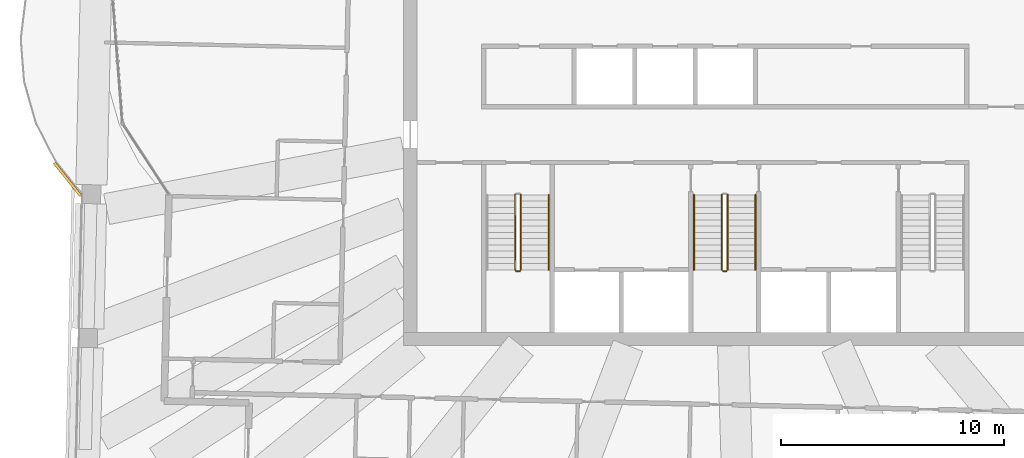
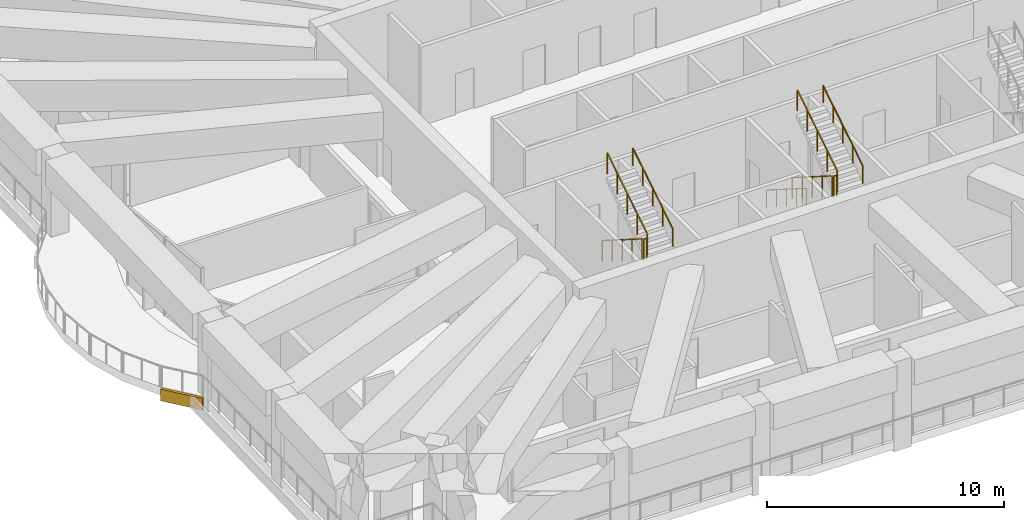
# One storey, part 13 of 17: 9 railings, 1 covering.
"""IFC4 building model written with IfcOpenShell, lengths in metres."""

from ifc_helpers import new_model, si_unit, direction, frame, frame_2d, origin, origin_2d, place, context, subcontext, project, spatial, rectangle, circle, extrude, material, layer, layer_set, type_object, element, save


model = new_model("IFC4")

# Units and contexts
model_context = context("Model", 3, precision=1e-05, world=origin(), true_north=direction((0.0, 1.0)))
body_context = subcontext(model_context, "Body", "Model", "MODEL_VIEW")
ifc_project = project(units=[si_unit("LENGTHUNIT", "METRE"), si_unit("AREAUNIT", "SQUARE_METRE"), si_unit("VOLUMEUNIT", "CUBIC_METRE"), si_unit("PLANEANGLEUNIT", "RADIAN"), si_unit("MASSUNIT", "GRAM", prefix="KILO")], contexts=[model_context])

# Site, building, storey
site_placement = place(None, origin())
site = spatial("IfcSite", under=ifc_project, at=site_placement, CompositionType="ELEMENT")
building_placement = place(site_placement, origin())
building = spatial("IfcBuilding", under=site, at=building_placement, Name="Mangrove Gate Tower", CompositionType="ELEMENT")
storey_placement = place(building_placement, frame((0.0, 0.0, 337.89990234375)))
storey = spatial("IfcBuildingStorey", under=building, at=storey_placement, Name="L86", CompositionType="ELEMENT", Elevation=337.89990234375)

# Railings
ifc_material_1 = material(Name="Stainless steel 316", Category="steel")
railing_type_1 = type_object("IfcRailingType", Name="Core stair guard 1100", PredefinedType="GUARDRAIL", material=ifc_material_1)
railing_1_placement = place(storey_placement, frame((-9.39990234375, -4.64990234375, 0.177001953125)))
element("IfcRailing", 1, at=railing_1_placement, inside=storey, type_object=railing_type_1, Name="L86 ST1 stair guard 1", PredefinedType="GUARDRAIL", context=body_context, shape_type="SweptSolid", body=[
    extrude(rectangle(XDim=0.048095703125, YDim=0.048095703125, at=origin_2d()), frame((0.0, 0.0, 1.076171875), z_axis=(0.0, -0.845389635667, 0.534150132366), x_axis=(1.0, 0.0, 0.0)), (0.0, 0.0, 1.0), 3.974609375),
    extrude(rectangle(XDim=0.0419921875, YDim=0.0419921875, at=origin_2d()), origin(), (0.0, 0.0, 1.0), 1.052001953125),
    extrude(rectangle(XDim=0.0419921875, YDim=0.0419921875, at=origin_2d()), frame((0.0, -0.840087890625, 0.53076171875)), (0.0, 0.0, 1.0), 1.052001953125),
    extrude(rectangle(XDim=0.0419921875, YDim=0.0419921875, at=origin_2d()), frame((0.0, -1.68017578125, 1.0615234375)), (0.0, 0.0, 1.0), 1.052001953125),
    extrude(rectangle(XDim=0.0419921875, YDim=0.0419921875, at=origin_2d()), frame((0.0, -2.52001953125, 1.59228515625)), (0.0, 0.0, 1.0), 1.052001953125),
    extrude(rectangle(XDim=0.0419921875, YDim=0.0419921875, at=origin_2d()), frame((0.0, -3.360107421875, 2.123046875)), (0.0, 0.0, 1.0), 1.052001953125),
])
railing_2_placement = place(storey_placement, frame((-9.35009765625, -8.06005859375, 2.300048828125)))
element("IfcRailing", 2, at=railing_2_placement, inside=storey, type_object=railing_type_1, Name="L86 ST1 stair guard 2", PredefinedType="GUARDRAIL", context=body_context, shape_type="SweptSolid", body=[
    extrude(rectangle(XDim=0.048095703125, YDim=0.048095703125, at=origin_2d()), frame((0.0, 0.0, 1.076171875), z_axis=(1.0, 0.0, 0.0), x_axis=(0.0, 1.0, 0.0)), (0.0, 0.0, 1.0), 0.150146484375),
    extrude(rectangle(XDim=0.0419921875, YDim=0.0419921875, at=origin_2d()), origin(), (0.0, 0.0, 1.0), 1.052001953125),
    extrude(rectangle(XDim=0.0419921875, YDim=0.0419921875, at=origin_2d()), frame((0.150146484375, 0.0, 0.0)), (0.0, 0.0, 1.0), 1.052001953125),
])
railing_3_placement = place(storey_placement, frame((-9.14990234375, -8.010009765625, 2.47705078125)))
element("IfcRailing", 3, at=railing_3_placement, inside=storey, type_object=railing_type_1, Name="L86 ST1 stair guard 3", PredefinedType="GUARDRAIL", context=body_context, shape_type="SweptSolid", body=[
    extrude(rectangle(XDim=0.048095703125, YDim=0.048095703125, at=origin_2d()), frame((0.0, 0.0, 1.076171875), z_axis=(0.0, 0.845389635667, 0.534150132366), x_axis=(-1.0, 0.0, 0.0)), (0.0, 0.0, 1.0), 3.974609375),
    extrude(rectangle(XDim=0.0419921875, YDim=0.0419921875, at=origin_2d()), origin(), (0.0, 0.0, 1.0), 1.052001953125),
    extrude(rectangle(XDim=0.0419921875, YDim=0.0419921875, at=origin_2d()), frame((0.0, 0.840087890625, 0.53076171875)), (0.0, 0.0, 1.0), 1.052001953125),
    extrude(rectangle(XDim=0.0419921875, YDim=0.0419921875, at=origin_2d()), frame((0.0, 1.68017578125, 1.0615234375)), (0.0, 0.0, 1.0), 1.052001953125),
    extrude(rectangle(XDim=0.0419921875, YDim=0.0419921875, at=origin_2d()), frame((0.0, 2.52001953125, 1.59228515625)), (0.0, 0.0, 1.0), 1.052001953125),
    extrude(rectangle(XDim=0.0419921875, YDim=0.0419921875, at=origin_2d()), frame((0.0, 3.360107421875, 2.123046875)), (0.0, 0.0, 1.0), 1.052001953125),
])
railing_4_placement = place(storey_placement, frame((-0.14990234375, -4.64990234375, 0.177001953125)))
element("IfcRailing", 4, at=railing_4_placement, inside=storey, type_object=railing_type_1, Name="L86 ST2 stair guard 1", PredefinedType="GUARDRAIL", context=body_context, shape_type="SweptSolid", body=[
    extrude(rectangle(XDim=0.048095703125, YDim=0.048095703125, at=origin_2d()), frame((0.0, 0.0, 1.076171875), z_axis=(0.0, -0.845389635667, 0.534150132366), x_axis=(1.0, 0.0, 0.0)), (0.0, 0.0, 1.0), 3.974609375),
    extrude(rectangle(XDim=0.0419921875, YDim=0.0419921875, at=origin_2d()), origin(), (0.0, 0.0, 1.0), 1.052001953125),
    extrude(rectangle(XDim=0.0419921875, YDim=0.0419921875, at=origin_2d()), frame((0.0, -0.840087890625, 0.53076171875)), (0.0, 0.0, 1.0), 1.052001953125),
    extrude(rectangle(XDim=0.0419921875, YDim=0.0419921875, at=origin_2d()), frame((0.0, -1.68017578125, 1.0615234375)), (0.0, 0.0, 1.0), 1.052001953125),
    extrude(rectangle(XDim=0.0419921875, YDim=0.0419921875, at=origin_2d()), frame((0.0, -2.52001953125, 1.59228515625)), (0.0, 0.0, 1.0), 1.052001953125),
    extrude(rectangle(XDim=0.0419921875, YDim=0.0419921875, at=origin_2d()), frame((0.0, -3.360107421875, 2.123046875)), (0.0, 0.0, 1.0), 1.052001953125),
])
railing_5_placement = place(storey_placement, frame((-0.10009765625, -8.06005859375, 2.300048828125)))
element("IfcRailing", 5, at=railing_5_placement, inside=storey, type_object=railing_type_1, Name="L86 ST2 stair guard 2", PredefinedType="GUARDRAIL", context=body_context, shape_type="SweptSolid", body=[
    extrude(rectangle(XDim=0.048095703125, YDim=0.048095703125, at=origin_2d()), frame((0.0, 0.0, 1.076171875), z_axis=(1.0, 0.0, 0.0), x_axis=(0.0, 1.0, 0.0)), (0.0, 0.0, 1.0), 0.150146484375),
    extrude(rectangle(XDim=0.0419921875, YDim=0.0419921875, at=origin_2d()), origin(), (0.0, 0.0, 1.0), 1.052001953125),
    extrude(rectangle(XDim=0.0419921875, YDim=0.0419921875, at=origin_2d()), frame((0.150146484375, 0.0, 0.0)), (0.0, 0.0, 1.0), 1.052001953125),
])
railing_6_placement = place(storey_placement, frame((0.10009765625, -8.010009765625, 2.47705078125)))
element("IfcRailing", 6, at=railing_6_placement, inside=storey, type_object=railing_type_1, Name="L86 ST2 stair guard 3", PredefinedType="GUARDRAIL", context=body_context, shape_type="SweptSolid", body=[
    extrude(rectangle(XDim=0.048095703125, YDim=0.048095703125, at=origin_2d()), frame((0.0, 0.0, 1.076171875), z_axis=(0.0, 0.845389635667, 0.534150132366), x_axis=(-1.0, 0.0, 0.0)), (0.0, 0.0, 1.0), 3.974609375),
    extrude(rectangle(XDim=0.0419921875, YDim=0.0419921875, at=origin_2d()), origin(), (0.0, 0.0, 1.0), 1.052001953125),
    extrude(rectangle(XDim=0.0419921875, YDim=0.0419921875, at=origin_2d()), frame((0.0, 0.840087890625, 0.53076171875)), (0.0, 0.0, 1.0), 1.052001953125),
    extrude(rectangle(XDim=0.0419921875, YDim=0.0419921875, at=origin_2d()), frame((0.0, 1.68017578125, 1.0615234375)), (0.0, 0.0, 1.0), 1.052001953125),
    extrude(rectangle(XDim=0.0419921875, YDim=0.0419921875, at=origin_2d()), frame((0.0, 2.52001953125, 1.59228515625)), (0.0, 0.0, 1.0), 1.052001953125),
    extrude(rectangle(XDim=0.0419921875, YDim=0.0419921875, at=origin_2d()), frame((0.0, 3.360107421875, 2.123046875)), (0.0, 0.0, 1.0), 1.052001953125),
])
ifc_material_2 = material(Name="Stainless steel 316", Category="steel")
railing_type_2 = type_object("IfcRailingType", Name="Core stair handrail 900", PredefinedType="HANDRAIL", material=ifc_material_2)
railing_7_placement = place(storey_placement, frame((-7.89990234375, -8.010009765625, 2.47705078125)))
element("IfcRailing", 7, at=railing_7_placement, inside=storey, type_object=railing_type_2, Name="L86 ST1 stair handrail 2", PredefinedType="HANDRAIL", context=body_context, shape_type="SweptSolid", body=[
    extrude(circle(Radius=0.02392578125, at=origin_2d()), frame((0.0, 0.0, 0.8759765625), z_axis=(0.0, 0.845389635667, 0.534150132366), x_axis=(-1.0, 0.0, 0.0)), (0.0, 0.0, 1.0), 3.974609375),
    extrude(circle(Radius=0.02099609375, at=origin_2d()), origin(), (0.0, 0.0, 1.0), 0.851806640625),
    extrude(circle(Radius=0.02099609375, at=origin_2d()), frame((0.0, 0.840087890625, 0.53076171875)), (0.0, 0.0, 1.0), 0.851806640625),
    extrude(circle(Radius=0.02099609375, at=origin_2d()), frame((0.0, 1.68017578125, 1.0615234375)), (0.0, 0.0, 1.0), 0.851806640625),
    extrude(circle(Radius=0.02099609375, at=origin_2d()), frame((0.0, 2.52001953125, 1.59228515625)), (0.0, 0.0, 1.0), 0.851806640625),
    extrude(circle(Radius=0.02099609375, at=origin_2d()), frame((0.0, 3.360107421875, 2.123046875)), (0.0, 0.0, 1.0), 0.851806640625),
])
railing_8_placement = place(storey_placement, frame((-1.39990234375, -4.64990234375, 0.177001953125)))
element("IfcRailing", 8, at=railing_8_placement, inside=storey, type_object=railing_type_2, Name="L86 ST2 stair handrail 1", PredefinedType="HANDRAIL", context=body_context, shape_type="SweptSolid", body=[
    extrude(circle(Radius=0.02392578125, at=origin_2d()), frame((0.0, 0.0, 0.8759765625), z_axis=(0.0, -0.845389635667, 0.534150132366), x_axis=(1.0, 0.0, 0.0)), (0.0, 0.0, 1.0), 3.974609375),
    extrude(circle(Radius=0.02099609375, at=origin_2d()), origin(), (0.0, 0.0, 1.0), 0.851806640625),
    extrude(circle(Radius=0.02099609375, at=origin_2d()), frame((0.0, -0.840087890625, 0.53076171875)), (0.0, 0.0, 1.0), 0.851806640625),
    extrude(circle(Radius=0.02099609375, at=origin_2d()), frame((0.0, -1.68017578125, 1.0615234375)), (0.0, 0.0, 1.0), 0.851806640625),
    extrude(circle(Radius=0.02099609375, at=origin_2d()), frame((0.0, -2.52001953125, 1.59228515625)), (0.0, 0.0, 1.0), 0.851806640625),
    extrude(circle(Radius=0.02099609375, at=origin_2d()), frame((0.0, -3.360107421875, 2.123046875)), (0.0, 0.0, 1.0), 0.851806640625),
])
railing_9_placement = place(storey_placement, frame((1.35009765625, -8.010009765625, 2.47705078125)))
element("IfcRailing", 9, at=railing_9_placement, inside=storey, type_object=railing_type_2, Name="L86 ST2 stair handrail 2", PredefinedType="HANDRAIL", context=body_context, shape_type="SweptSolid", body=[
    extrude(circle(Radius=0.02392578125, at=origin_2d()), frame((0.0, 0.0, 0.8759765625), z_axis=(0.0, 0.845389635667, 0.534150132366), x_axis=(-1.0, 0.0, 0.0)), (0.0, 0.0, 1.0), 3.974609375),
    extrude(circle(Radius=0.02099609375, at=origin_2d()), origin(), (0.0, 0.0, 1.0), 0.851806640625),
    extrude(circle(Radius=0.02099609375, at=origin_2d()), frame((0.0, 0.840087890625, 0.53076171875)), (0.0, 0.0, 1.0), 0.851806640625),
    extrude(circle(Radius=0.02099609375, at=origin_2d()), frame((0.0, 1.68017578125, 1.0615234375)), (0.0, 0.0, 1.0), 0.851806640625),
    extrude(circle(Radius=0.02099609375, at=origin_2d()), frame((0.0, 2.52001953125, 1.59228515625)), (0.0, 0.0, 1.0), 0.851806640625),
    extrude(circle(Radius=0.02099609375, at=origin_2d()), frame((0.0, 3.360107421875, 2.123046875)), (0.0, 0.0, 1.0), 0.851806640625),
])

# Covering
ifc_material_3 = material(Name="Limestone", Category="masonry")
ifc_layer_1 = layer(ifc_material_3, 0.0400390625, Name="Limestone cladding")
ifc_material_4 = material(Name="Stainless steel anchors and cavity", Category="steel")
ifc_layer_2 = layer(ifc_material_4, 0.080078125, Name="Fixing cavity")
ifc_layer_set = layer_set([ifc_layer_1, ifc_layer_2], Name="Joint fascia cladding 120")
covering_type = type_object("IfcCoveringType", Name="Joint fascia cladding 120", PredefinedType="CLADDING", material=ifc_layer_set)
covering_placement = place(storey_placement, frame((-28.845947265625, -4.695068359375, -0.599853515625), z_axis=(0.0, 0.0, 1.0), x_axis=(-0.62541579031, 0.780291669333, 0.0)))
element("IfcCovering", 10, at=covering_placement, inside=storey, type_object=covering_type, Name="STONE FASCIA L86 Tcrown03-1.1", PredefinedType="CLADDING", context=body_context, shape_type="SweptSolid", body=[
    extrude(rectangle(XDim=1.8994140625, YDim=0.1201171875, at=frame_2d((0.94970703125, 0.0))), origin(), (0.0, 0.0, 1.0), 0.599853515625),
])

save(model, "model.ifc")
